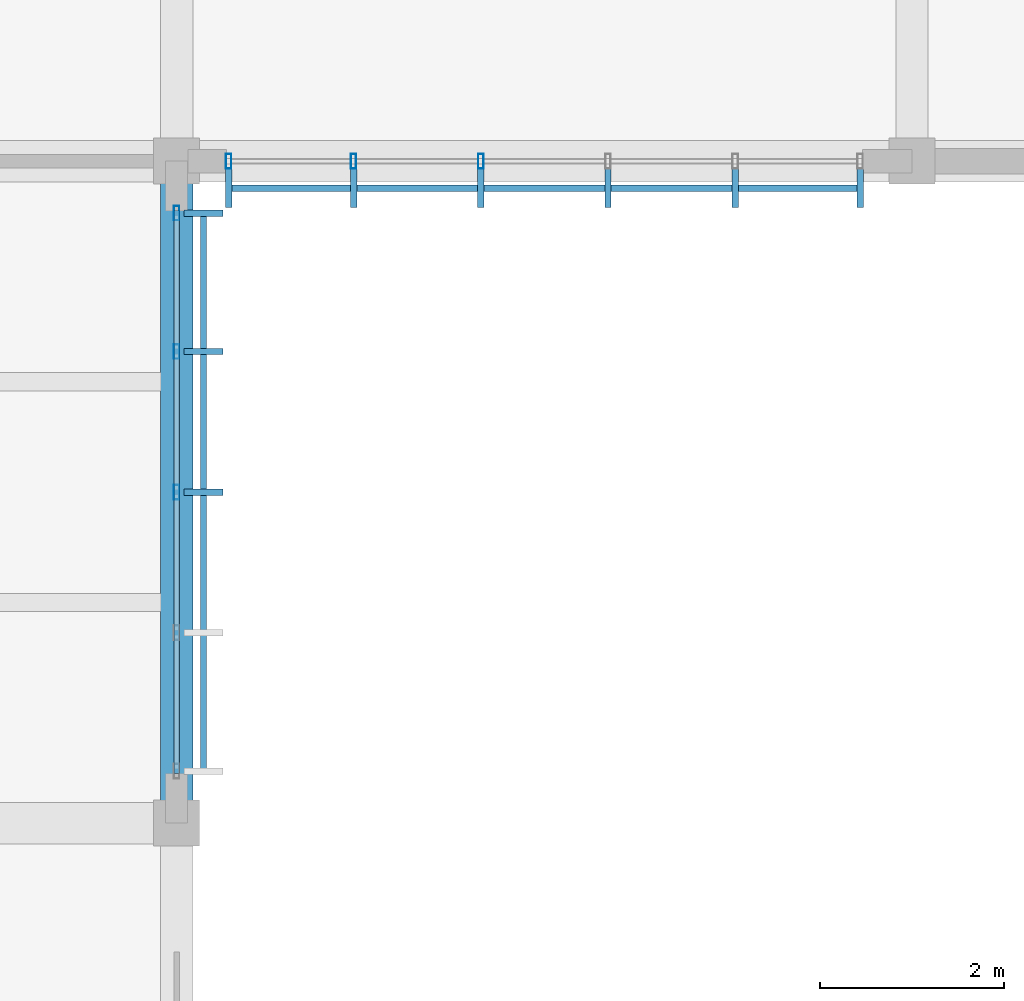
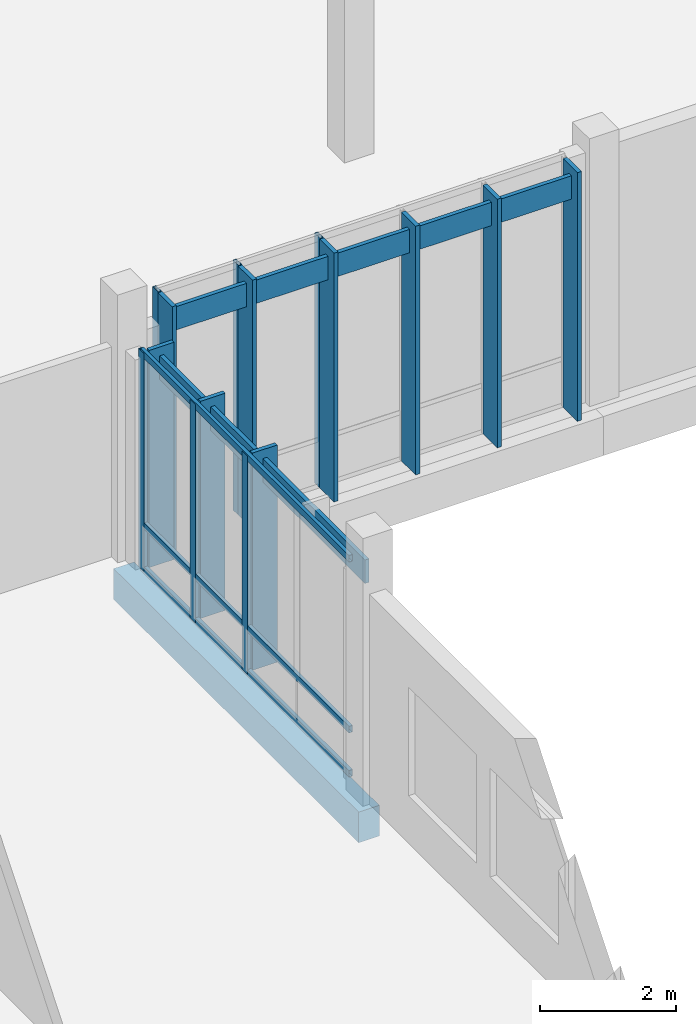
# One storey, part 68 of 177: 20 members, 1 beam, 2 elements without a shape of their own.
"""IFC4 building model written with IfcOpenShell, lengths in metres."""

from ifc_helpers import new_model, si_unit, direction, frame, origin, origin_2d, place, context, subcontext, project, spatial, rectangle, hollow_rectangle, extrude, material, material_profile, profile_set, type_object, element, aggregate, save


model = new_model("IFC4")

# Units and contexts
model_context = context("Model", 3, precision=1e-05, world=origin(), true_north=direction((0.0, 1.0)))
body_context = subcontext(model_context, "Body", "Model", "MODEL_VIEW")
ifc_project = project(units=[si_unit("LENGTHUNIT", "METRE"), si_unit("AREAUNIT", "SQUARE_METRE"), si_unit("VOLUMEUNIT", "CUBIC_METRE"), si_unit("PLANEANGLEUNIT", "RADIAN"), si_unit("MASSUNIT", "GRAM", prefix="KILO")], contexts=[model_context])

# Site, building, storey
site_placement = place(None, origin())
site = spatial("IfcSite", under=ifc_project, at=site_placement, CompositionType="ELEMENT")
building_placement = place(site_placement, origin())
building = spatial("IfcBuilding", under=site, at=building_placement, Name="Chiffa Square Polytechnic", CompositionType="ELEMENT")
storey_placement = place(building_placement, frame((0.0, 0.0, 4.800048828125)))
storey = spatial("IfcBuildingStorey", under=building, at=storey_placement, Name="L01", CompositionType="ELEMENT", Elevation=4.800048828125)

# Beam
ifc_material_1 = material(Name="Concrete C35/45", Category="concrete")
ifc_material_profile_1 = material_profile(ifc_material_1, rectangle(XDim=0.35009765625, YDim=0.550048828125, at=origin_2d()), Name="RC 350x550")
ifc_profile_set_1 = profile_set([ifc_material_profile_1], Name="Concrete C35/45")
beam_type = type_object("IfcBeamType", Name="BM-RC-350X550", PredefinedType="BEAM", material=ifc_profile_set_1)
beam_placement = place(storey_placement, frame((32.0, 72.60009765625, -0.554931640625), z_axis=(0.0, 1.0, 0.0), x_axis=(-1.0, 0.0, 0.0)))
element("IfcBeam", 1, at=beam_placement, inside=storey, type_object=beam_type, Name="Primary floor girder BM-V6-L01-Y-0320-0726", PredefinedType="BEAM", context=body_context, shape_type="SweptSolid", body=[
    extrude(rectangle(XDim=0.35009765625, YDim=0.550048828125, at=origin_2d()), origin(), (0.0, 0.0, 1.0), 7.199951171875),
])

# Curtain wall, members
ifc_material_2 = material(Name="Aluminium EN AW-6060 T66 and glulam shading", Category="wood")
curtain_wall_type_1 = type_object("IfcCurtainWallType", Name="CW-VERT-450X440", PredefinedType="USERDEFINED", material=ifc_material_2)
curtain_wall_1_placement = place(storey_placement, origin())
curtain_wall_1 = element("IfcCurtainWall", 2, at=curtain_wall_1_placement, inside=storey, type_object=curtain_wall_type_1, Name="Curtain wall CW-V6-L01-256", ObjectType="CURTAIN WALL", PredefinedType="USERDEFINED")
ifc_material_3 = material(Name="Aluminium EN AW-6060 T66", Category="aluminium")
ifc_material_profile_2 = material_profile(ifc_material_3, hollow_rectangle(XDim=0.06005859375, YDim=0.159912109375, WallThickness=0.00390625, at=origin_2d()), Name="ALU 60x160x4")
ifc_profile_set_2 = profile_set([ifc_material_profile_2], Name="Aluminium EN AW-6060 T66")
member_type_1 = type_object("IfcMemberType", Name="CWM-ALU-65X150", PredefinedType="MULLION", material=ifc_profile_set_2)
member_1_placement = place(storey_placement, frame((32.0, 76.199951171875, 0.0), z_axis=(0.0, 0.0, 1.0), x_axis=(1.0, 0.0, 0.0)))
member_1 = element("IfcMember", 3, at=member_1_placement, type_object=member_type_1, Name="Curtain wall mullion CW-V6-L01-256-M02", PredefinedType="MULLION", context=body_context, shape_type="SweptSolid", body=[
    extrude(hollow_rectangle(XDim=0.06005859375, YDim=0.159912109375, WallThickness=0.00390625, at=origin_2d()), origin(), (0.0, 0.0, 1.0), 3.9150390625),
])
member_2_placement = place(storey_placement, frame((32.0, 77.72998046875, 0.0), z_axis=(0.0, 0.0, 1.0), x_axis=(1.0, 0.0, 0.0)))
member_2 = element("IfcMember", 4, at=member_2_placement, type_object=member_type_1, Name="Curtain wall mullion CW-V6-L01-256-M03", PredefinedType="MULLION", context=body_context, shape_type="SweptSolid", body=[
    extrude(hollow_rectangle(XDim=0.06005859375, YDim=0.159912109375, WallThickness=0.00390625, at=origin_2d()), origin(), (0.0, 0.0, 1.0), 3.9150390625),
])
member_3_placement = place(storey_placement, frame((32.0, 79.235107421875, 0.0), z_axis=(0.0, 0.0, 1.0), x_axis=(1.0, 0.0, 0.0)))
member_3 = element("IfcMember", 5, at=member_3_placement, type_object=member_type_1, Name="Curtain wall mullion CW-V6-L01-256-M04", PredefinedType="MULLION", context=body_context, shape_type="SweptSolid", body=[
    extrude(hollow_rectangle(XDim=0.06005859375, YDim=0.159912109375, WallThickness=0.00390625, at=origin_2d()), origin(), (0.0, 0.0, 1.0), 3.9150390625),
])

curtain_wall_type_2 = type_object("IfcCurtainWallType", Name="CW-VERT-600X440", PredefinedType="USERDEFINED", material=ifc_material_2)
curtain_wall_2_placement = place(storey_placement, origin())
curtain_wall_2 = element("IfcCurtainWall", 6, at=curtain_wall_2_placement, inside=storey, type_object=curtain_wall_type_2, Name="Curtain wall CW-V6-L01-257", ObjectType="CURTAIN WALL", PredefinedType="USERDEFINED")
member_4_placement = place(storey_placement, frame((32.56494140625, 79.800048828125, 0.0), z_axis=(0.0, 0.0, 1.0), x_axis=(1.0, 0.0, 0.0)))
member_4 = element("IfcMember", 7, at=member_4_placement, type_object=member_type_1, Name="Curtain wall mullion CW-V6-L01-257-M00", PredefinedType="MULLION", context=body_context, shape_type="SweptSolid", body=[
    extrude(hollow_rectangle(XDim=0.06005859375, YDim=0.159912109375, WallThickness=0.00390625, at=origin_2d()), origin(), (0.0, 0.0, 1.0), 4.47998046875),
])
member_5_placement = place(storey_placement, frame((33.924072265625, 79.800048828125, 0.0), z_axis=(0.0, 0.0, 1.0), x_axis=(1.0, 0.0, 0.0)))
member_5 = element("IfcMember", 8, at=member_5_placement, type_object=member_type_1, Name="Curtain wall mullion CW-V6-L01-257-M01", PredefinedType="MULLION", context=body_context, shape_type="SweptSolid", body=[
    extrude(hollow_rectangle(XDim=0.06005859375, YDim=0.159912109375, WallThickness=0.00390625, at=origin_2d()), origin(), (0.0, 0.0, 1.0), 4.47998046875),
])
member_6_placement = place(storey_placement, frame((35.30810546875, 79.800048828125, 0.0), z_axis=(0.0, 0.0, 1.0), x_axis=(1.0, 0.0, 0.0)))
member_6 = element("IfcMember", 9, at=member_6_placement, type_object=member_type_1, Name="Curtain wall mullion CW-V6-L01-257-M02", PredefinedType="MULLION", context=body_context, shape_type="SweptSolid", body=[
    extrude(hollow_rectangle(XDim=0.06005859375, YDim=0.159912109375, WallThickness=0.00390625, at=origin_2d()), origin(), (0.0, 0.0, 1.0), 4.47998046875),
])

# Member
ifc_material_4 = material(Name="Glulam GL28h", Category="wood")
ifc_material_profile_3 = material_profile(ifc_material_4, rectangle(XDim=0.070068359375, YDim=0.419921875, at=origin_2d()), Name="GL28h 70x420")
ifc_profile_set_3 = profile_set([ifc_material_profile_3], Name="Glulam GL28h")
member_type_2 = type_object("IfcMemberType", Name="CWM-GL-70X420", PredefinedType="MULLION", material=ifc_profile_set_3)
member_7_placement = place(storey_placement, frame((32.2919921875, 76.199951171875, 0.010009765625), z_axis=(0.0, 0.0, 1.0), x_axis=(0.0, 1.0, 0.0)))
member_7 = element("IfcMember", 10, at=member_7_placement, type_object=member_type_2, Name="Exterior glulam solar fin CW-V6-L01-256-FN02", PredefinedType="MULLION", context=body_context, shape_type="SweptSolid", body=[
    extrude(rectangle(XDim=0.070068359375, YDim=0.419921875, at=origin_2d()), origin(), (0.0, 0.0, 1.0), 3.89501953125),
])

member_8_placement = place(storey_placement, frame((32.2919921875, 77.72998046875, 0.010009765625), z_axis=(0.0, 0.0, 1.0), x_axis=(0.0, 1.0, 0.0)))
member_8 = element("IfcMember", 11, at=member_8_placement, type_object=member_type_2, Name="Exterior glulam solar fin CW-V6-L01-256-FN03", PredefinedType="MULLION", context=body_context, shape_type="SweptSolid", body=[
    extrude(rectangle(XDim=0.070068359375, YDim=0.419921875, at=origin_2d()), origin(), (0.0, 0.0, 1.0), 3.89501953125),
])

member_9_placement = place(storey_placement, frame((32.2919921875, 79.235107421875, 0.010009765625), z_axis=(0.0, 0.0, 1.0), x_axis=(0.0, 1.0, 0.0)))
member_9 = element("IfcMember", 12, at=member_9_placement, type_object=member_type_2, Name="Exterior glulam solar fin CW-V6-L01-256-FN04", PredefinedType="MULLION", context=body_context, shape_type="SweptSolid", body=[
    extrude(rectangle(XDim=0.070068359375, YDim=0.419921875, at=origin_2d()), origin(), (0.0, 0.0, 1.0), 3.89501953125),
])

member_10_placement = place(storey_placement, frame((32.56494140625, 79.508056640625, 0.010009765625), z_axis=(0.0, 0.0, 1.0), x_axis=(1.0, 0.0, 0.0)))
member_10 = element("IfcMember", 13, at=member_10_placement, type_object=member_type_2, Name="Exterior glulam solar fin CW-V6-L01-257-FN00", PredefinedType="MULLION", context=body_context, shape_type="SweptSolid", body=[
    extrude(rectangle(XDim=0.070068359375, YDim=0.419921875, at=origin_2d()), origin(), (0.0, 0.0, 1.0), 4.4599609375),
])

member_11_placement = place(storey_placement, frame((33.924072265625, 79.508056640625, 0.010009765625), z_axis=(0.0, 0.0, 1.0), x_axis=(1.0, 0.0, 0.0)))
member_11 = element("IfcMember", 14, at=member_11_placement, type_object=member_type_2, Name="Exterior glulam solar fin CW-V6-L01-257-FN01", PredefinedType="MULLION", context=body_context, shape_type="SweptSolid", body=[
    extrude(rectangle(XDim=0.070068359375, YDim=0.419921875, at=origin_2d()), origin(), (0.0, 0.0, 1.0), 4.4599609375),
])

member_12_placement = place(storey_placement, frame((35.30810546875, 79.508056640625, 0.010009765625), z_axis=(0.0, 0.0, 1.0), x_axis=(1.0, 0.0, 0.0)))
member_12 = element("IfcMember", 15, at=member_12_placement, type_object=member_type_2, Name="Exterior glulam solar fin CW-V6-L01-257-FN02", PredefinedType="MULLION", context=body_context, shape_type="SweptSolid", body=[
    extrude(rectangle(XDim=0.070068359375, YDim=0.419921875, at=origin_2d()), origin(), (0.0, 0.0, 1.0), 4.4599609375),
])

member_13_placement = place(storey_placement, frame((36.69189453125, 79.508056640625, 0.010009765625), z_axis=(0.0, 0.0, 1.0), x_axis=(1.0, 0.0, 0.0)))
member_13 = element("IfcMember", 16, at=member_13_placement, type_object=member_type_2, Name="Exterior glulam solar fin CW-V6-L01-257-FN03", PredefinedType="MULLION", context=body_context, shape_type="SweptSolid", body=[
    extrude(rectangle(XDim=0.070068359375, YDim=0.419921875, at=origin_2d()), origin(), (0.0, 0.0, 1.0), 4.4599609375),
])

member_14_placement = place(storey_placement, frame((38.075927734375, 79.508056640625, 0.010009765625), z_axis=(0.0, 0.0, 1.0), x_axis=(1.0, 0.0, 0.0)))
member_14 = element("IfcMember", 17, at=member_14_placement, type_object=member_type_2, Name="Exterior glulam solar fin CW-V6-L01-257-FN04", PredefinedType="MULLION", context=body_context, shape_type="SweptSolid", body=[
    extrude(rectangle(XDim=0.070068359375, YDim=0.419921875, at=origin_2d()), origin(), (0.0, 0.0, 1.0), 4.4599609375),
])

member_15_placement = place(storey_placement, frame((39.43505859375, 79.508056640625, 0.010009765625), z_axis=(0.0, 0.0, 1.0), x_axis=(1.0, 0.0, 0.0)))
member_15 = element("IfcMember", 18, at=member_15_placement, type_object=member_type_2, Name="Exterior glulam solar fin CW-V6-L01-257-FN05", PredefinedType="MULLION", context=body_context, shape_type="SweptSolid", body=[
    extrude(rectangle(XDim=0.070068359375, YDim=0.419921875, at=origin_2d()), origin(), (0.0, 0.0, 1.0), 4.4599609375),
])

ifc_material_profile_4 = material_profile(ifc_material_3, hollow_rectangle(XDim=0.06005859375, YDim=0.1201171875, WallThickness=0.00390625, at=origin_2d()), Name="ALU 60x120x4")
ifc_profile_set_4 = profile_set([ifc_material_profile_4], Name="Aluminium EN AW-6060 T66")
member_type_3 = type_object("IfcMemberType", Name="CWT-ALU-65X120", PredefinedType="USERDEFINED", material=ifc_profile_set_4)
member_16_placement = place(storey_placement, frame((32.0, 73.137939453125, 0.030029296875), z_axis=(0.0, 1.0, 0.0), x_axis=(-1.0, 0.0, 0.0)))
member_16 = element("IfcMember", 19, at=member_16_placement, type_object=member_type_3, Name="Curtain wall transom CW-V6-L01-256-T01", ObjectType="TRANSOM", PredefinedType="USERDEFINED", context=body_context, shape_type="SweptSolid", body=[
    extrude(hollow_rectangle(XDim=0.06005859375, YDim=0.1201171875, WallThickness=0.00390625, at=origin_2d()), origin(), (0.0, 0.0, 1.0), 6.1240234375),
])

member_17_placement = place(storey_placement, frame((32.0, 73.137939453125, 0.820068359375), z_axis=(0.0, 1.0, 0.0), x_axis=(-1.0, 0.0, 0.0)))
member_17 = element("IfcMember", 20, at=member_17_placement, type_object=member_type_3, Name="Curtain wall transom CW-V6-L01-256-T02", ObjectType="TRANSOM", PredefinedType="USERDEFINED", context=body_context, shape_type="SweptSolid", body=[
    extrude(hollow_rectangle(XDim=0.06005859375, YDim=0.1201171875, WallThickness=0.00390625, at=origin_2d()), origin(), (0.0, 0.0, 1.0), 6.1240234375),
])

member_18_placement = place(storey_placement, frame((32.0, 73.137939453125, 3.885009765625), z_axis=(0.0, 1.0, 0.0), x_axis=(-1.0, 0.0, 0.0)))
member_18 = element("IfcMember", 21, at=member_18_placement, type_object=member_type_3, Name="Curtain wall transom CW-V6-L01-256-T03", ObjectType="TRANSOM", PredefinedType="USERDEFINED", context=body_context, shape_type="SweptSolid", body=[
    extrude(hollow_rectangle(XDim=0.06005859375, YDim=0.1201171875, WallThickness=0.00390625, at=origin_2d()), origin(), (0.0, 0.0, 1.0), 6.1240234375),
])

ifc_material_profile_5 = material_profile(ifc_material_4, rectangle(XDim=0.070068359375, YDim=0.419921875, at=origin_2d()), Name="GL28h 70x420")
ifc_profile_set_5 = profile_set([ifc_material_profile_5], Name="Glulam GL28h")
member_type_4 = type_object("IfcMemberType", Name="CWT-GL-70X420", PredefinedType="USERDEFINED", material=ifc_profile_set_5)
member_19_placement = place(storey_placement, frame((32.2919921875, 73.1650390625, 3.534912109375), z_axis=(0.0, 1.0, 0.0), x_axis=(-1.0, 0.0, 0.0)))
member_19 = element("IfcMember", 22, at=member_19_placement, type_object=member_type_4, Name="Exterior glulam brise-soleil CW-V6-L01-256-BS01", ObjectType="TRANSOM", PredefinedType="USERDEFINED", context=body_context, shape_type="SweptSolid", body=[
    extrude(rectangle(XDim=0.070068359375, YDim=0.419921875, at=origin_2d()), origin(), (0.0, 0.0, 1.0), 6.070068359375),
])

aggregate(curtain_wall_1, [member_1, member_7, member_2, member_8, member_3, member_9, member_16, member_17, member_18, member_19])

member_20_placement = place(storey_placement, frame((32.56494140625, 79.508056640625, 4.099853515625), z_axis=(1.0, 0.0, 0.0), x_axis=(0.0, 1.0, 0.0)))
member_20 = element("IfcMember", 23, at=member_20_placement, type_object=member_type_4, Name="Exterior glulam brise-soleil CW-V6-L01-257-BS01", ObjectType="TRANSOM", PredefinedType="USERDEFINED", context=body_context, shape_type="SweptSolid", body=[
    extrude(rectangle(XDim=0.070068359375, YDim=0.419921875, at=origin_2d()), origin(), (0.0, 0.0, 1.0), 6.8701171875),
])

aggregate(curtain_wall_2, [member_4, member_10, member_5, member_11, member_6, member_12, member_13, member_14, member_15, member_20])

save(model, "model.ifc")
